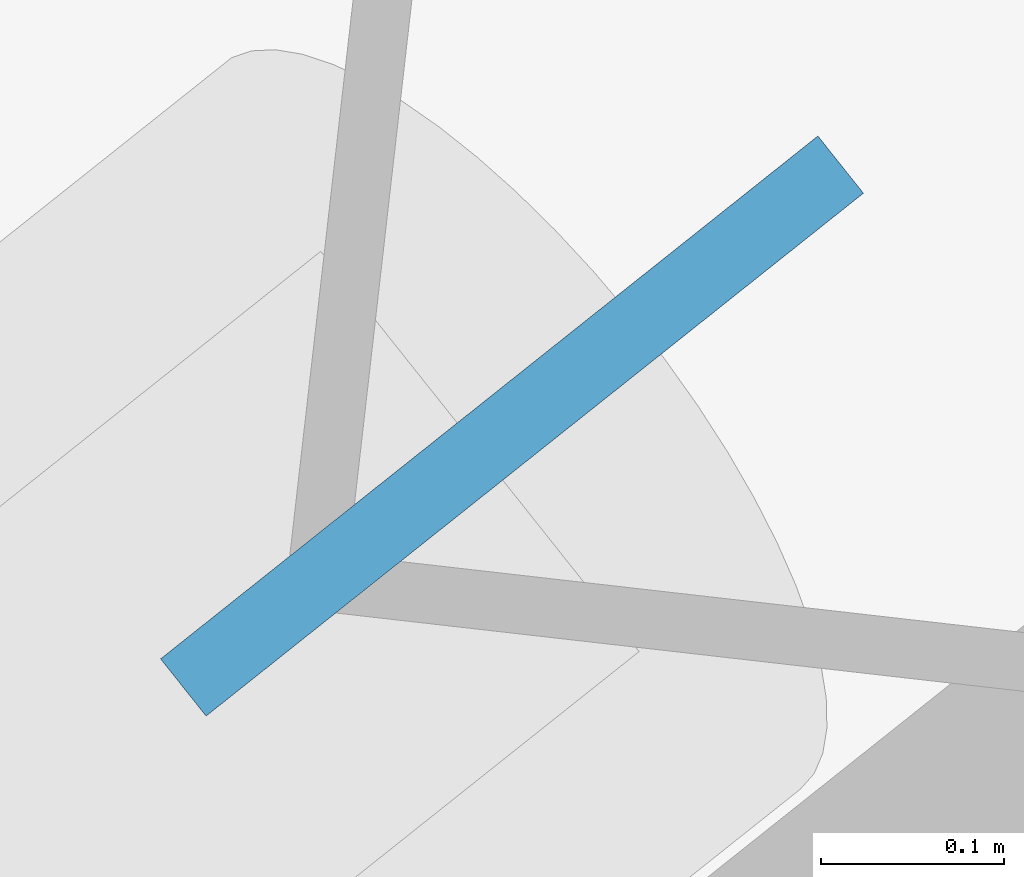
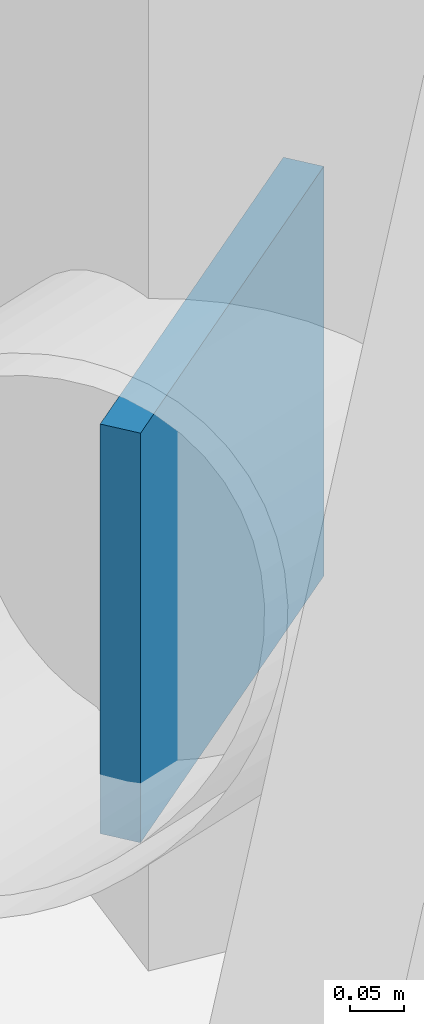
# One storey, part 17 of 21: 1 discrete accessory.
"""IFC4 building model written with IfcOpenShell, lengths in metres."""

from ifc_helpers import new_model, si_unit, direction, frame, origin, origin_2d, place, context, subcontext, project, spatial, rectangle, extrude, material, type_object, element, save


model = new_model("IFC4")

# Units and contexts
model_context = context("Model", 3, precision=1e-05, world=origin(), true_north=direction((0.0, 1.0)))
body_context = subcontext(model_context, "Body", "Model", "MODEL_VIEW")
ifc_project = project(units=[si_unit("LENGTHUNIT", "METRE"), si_unit("AREAUNIT", "SQUARE_METRE"), si_unit("VOLUMEUNIT", "CUBIC_METRE"), si_unit("PLANEANGLEUNIT", "RADIAN"), si_unit("MASSUNIT", "GRAM", prefix="KILO")], contexts=[model_context])

# Site, building, storey
site_placement = place(None, origin())
site = spatial("IfcSite", under=ifc_project, at=site_placement, CompositionType="ELEMENT")
building_placement = place(site_placement, origin())
building = spatial("IfcBuilding", under=site, at=building_placement, Name="Tavrogorsk Clinical Tower", CompositionType="ELEMENT")
storey_placement = place(building_placement, frame((0.0, 0.0, 125.39990234375)))
storey = spatial("IfcBuildingStorey", under=building, at=storey_placement, Name="L28", CompositionType="ELEMENT", Elevation=125.39990234375)

# Discrete accessory
ifc_material = material(Name="Structural steel S440", Category="steel")
discrete_accessory_type = type_object("IfcDiscreteAccessoryType", Name="GussetPlateBracket_25", PredefinedType="BRACKET", material=ifc_material)
discrete_accessory_placement = place(storey_placement, frame((-27.045654296875, 25.592041015625, 0.195068359375), z_axis=(0.0, 0.0, 1.0), x_axis=(-0.782608156852, -0.622514636638, 0.0)))
element("IfcDiscreteAccessory", 1, at=discrete_accessory_placement, inside=storey, type_object=discrete_accessory_type, Name="L28 Brace Gusset Plate EXOCRN-L28-3-A", PredefinedType="BRACKET", context=body_context, shape_type="SweptSolid", body=[
    extrude(rectangle(XDim=0.4599609375, YDim=0.0400390625, at=origin_2d()), origin(), (0.0, 0.0, 1.0), 0.4599609375),
])

save(model, "model.ifc")
